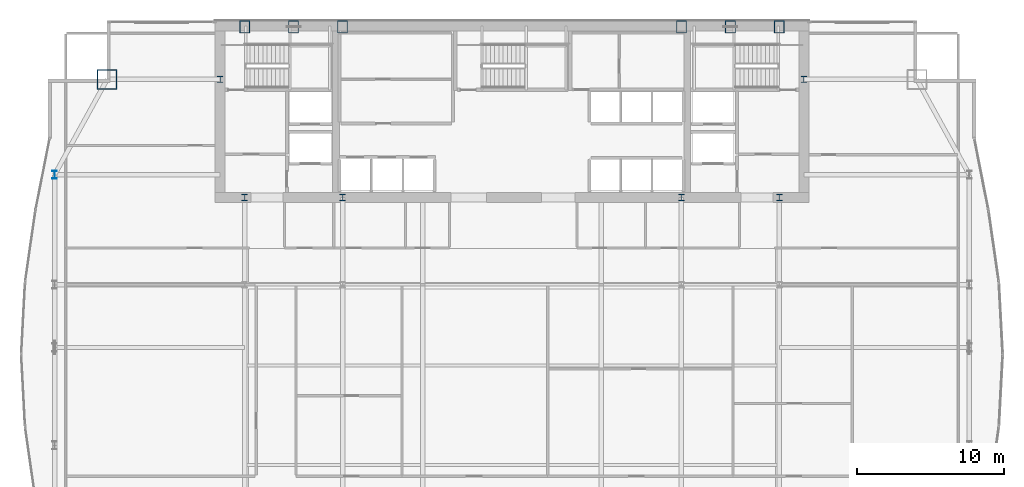
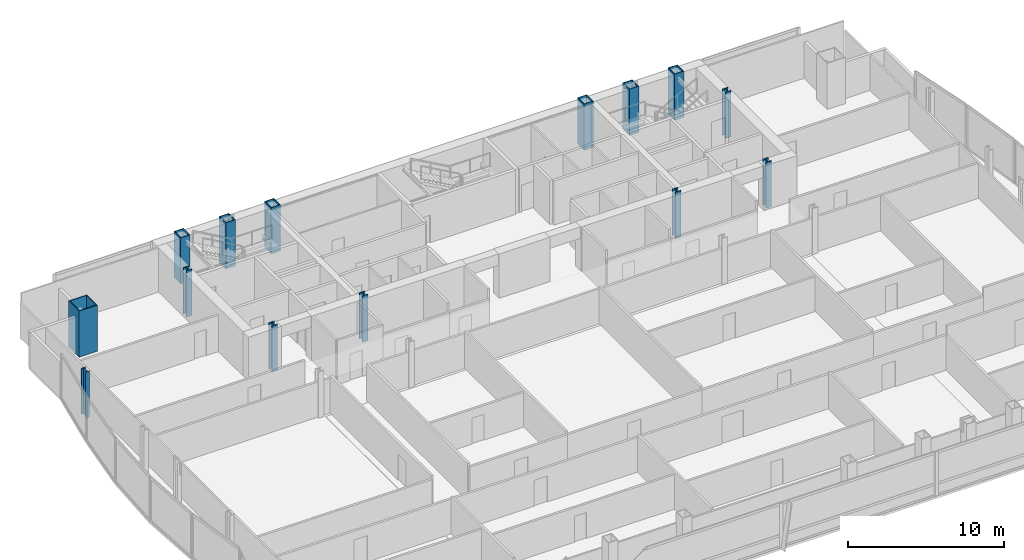
# One storey, part 3 of 29: 14 columns.
"""IFC4 building model written with IfcOpenShell, lengths in metres."""

from ifc_helpers import new_model, si_unit, direction, frame, origin, origin_2d, place, context, subcontext, project, spatial, hollow_rectangle, i_section, extrude, material, material_profile, profile_set, type_object, element, save


model = new_model("IFC4")

# Units and contexts
model_context = context("Model", 3, precision=1e-05, world=origin(), true_north=direction((0.0, 1.0)))
body_context = subcontext(model_context, "Body", "Model", "MODEL_VIEW")
ifc_project = project(units=[si_unit("LENGTHUNIT", "METRE"), si_unit("AREAUNIT", "SQUARE_METRE"), si_unit("VOLUMEUNIT", "CUBIC_METRE"), si_unit("PLANEANGLEUNIT", "RADIAN"), si_unit("MASSUNIT", "GRAM", prefix="KILO")], contexts=[model_context])

# Site, building, storey
site_placement = place(None, origin())
site = spatial("IfcSite", under=ifc_project, at=site_placement, CompositionType="ELEMENT")
building_placement = place(site_placement, origin())
building = spatial("IfcBuilding", under=site, at=building_placement, Name="Khoronbel Lancet Exchange", CompositionType="ELEMENT")
storey_placement = place(building_placement, frame((0.0, 0.0, 154.199951171875)))
storey = spatial("IfcBuildingStorey", under=building, at=storey_placement, Name="L38", CompositionType="ELEMENT", Elevation=154.199951171875)

# Columns
ifc_material_1 = material(Name="Steel S460", Category="steel")
ifc_material_profile_1 = material_profile(ifc_material_1, hollow_rectangle(XDim=0.699951171875, YDim=0.85009765625, WallThickness=0.050048828125, at=origin_2d()), Name="BOX 850x700x50")
ifc_profile_set_1 = profile_set([ifc_material_profile_1], Name="Steel S460")
column_type_1 = type_object("IfcColumnType", Name="COL-EC2", PredefinedType="COLUMN", material=ifc_profile_set_1)
for number, where, z_axis, x_axis, name in (
    (1, (18.22509765625, 53.280029296875, 0.0), (0.0, 0.0, 1.0), (1.0, 0.0, 0.0), "Structural column NC-W1 L38"),
    (2, (21.5625, 53.280029296875, 0.0), (0.0, 0.0, 1.0), (1.0, 0.0, 0.0), "Structural column NC-WM L38"),
    (3, (24.89990234375, 53.280029296875, 0.0), (0.0, 0.0, 1.0), (1.0, 0.0, 0.0), "Structural column NC-W2 L38"),
    (4, (48.0, 53.280029296875, 0.0), (0.0, 0.0, 1.0), (1.0, 0.0, 0.0), "Structural column NC-E1 L38"),
    (5, (51.33740234375, 53.280029296875, 0.0), (0.0, 0.0, 1.0), (1.0, 0.0, 0.0), "Structural column NC-EM L38"),
    (6, (54.675048828125, 53.280029296875, 0.0), (0.0, 0.0, 1.0), (1.0, 0.0, 0.0), "Structural column NC-E2 L38"),
):
    element("IfcColumn", number, at=place(storey_placement, frame(where, z_axis=z_axis, x_axis=x_axis)), inside=storey, type_object=column_type_1, Name=name, PredefinedType="COLUMN", context=body_context, shape_type="SweptSolid", body=[
        extrude(hollow_rectangle(XDim=0.699951171875, YDim=0.85009765625, WallThickness=0.050048828125, at=origin_2d()), origin(), (0.0, 0.0, 1.0), 3.60009765625),
    ])
ifc_material_profile_2 = material_profile(ifc_material_1, i_section(OverallWidth=0.416015625, OverallDepth=0.446044921875, WebThickness=0.0390625, FlangeThickness=0.062744140625, at=origin_2d()), Name="HD 400x509")
ifc_profile_set_2 = profile_set([ifc_material_profile_2], Name="Steel S460")
column_type_2 = type_object("IfcColumnType", Name="COL-IC2", PredefinedType="COLUMN", material=ifc_profile_set_2)
for number, where, z_axis, x_axis, name in (
    (7, (16.550048828125, 49.699951171875, 0.0), (0.0, 0.0, 1.0), (1.0, 0.0, 0.0), "Core-flank plumb transfer column CFW L38"),
    (8, (56.35009765625, 49.699951171875, 0.0), (0.0, 0.0, 1.0), (1.0, 0.0, 0.0), "Core-flank plumb transfer column CFE L38"),
    (9, (18.22509765625, 41.64990234375, 0.0), (0.0, 0.0, 1.0), (1.0, 0.0, 0.0), "Core-embedded steel column CTC1 L38"),
    (10, (24.89990234375, 41.64990234375, 0.0), (0.0, 0.0, 1.0), (1.0, 0.0, 0.0), "Core-embedded steel column CTC2 L38"),
    (11, (48.0, 41.64990234375, 0.0), (0.0, 0.0, 1.0), (1.0, 0.0, 0.0), "Core-embedded steel column CTC3 L38"),
    (12, (54.675048828125, 41.64990234375, 0.0), (0.0, 0.0, 1.0), (1.0, 0.0, 0.0), "Core-embedded steel column CTC4 L38"),
):
    element("IfcColumn", number, at=place(storey_placement, frame(where, z_axis=z_axis, x_axis=x_axis)), inside=storey, type_object=column_type_2, Name=name, PredefinedType="COLUMN", context=body_context, shape_type="SweptSolid", body=[
        extrude(i_section(OverallWidth=0.416015625, OverallDepth=0.446044921875, WebThickness=0.0390625, FlangeThickness=0.062744140625, at=origin_2d()), origin(), (0.0, 0.0, 1.0), 3.60009765625),
    ])
ifc_material_2 = material(Name="Steel S355", Category="steel")
ifc_material_profile_3 = material_profile(ifc_material_2, i_section(OverallWidth=0.300048828125, OverallDepth=0.550048828125, WebThickness=0.014892578125, FlangeThickness=0.029052734375, at=origin_2d()), Name="HEB 550")
ifc_profile_set_3 = profile_set([ifc_material_profile_3], Name="Steel S355")
column_type_3 = type_object("IfcColumnType", Name="COL-LC1", PredefinedType="COLUMN", material=ifc_profile_set_3)
column_1_placement = place(storey_placement, frame((5.27001953125, 43.199951171875, 0.0), z_axis=(0.0, 0.0, 1.0), x_axis=(1.0, 0.0, 0.0)))
element("IfcColumn", 13, at=column_1_placement, inside=storey, type_object=column_type_3, Name="Structural column WC-4 L38", PredefinedType="COLUMN", context=body_context, shape_type="SweptSolid", body=[
    extrude(i_section(OverallWidth=0.300048828125, OverallDepth=0.550048828125, WebThickness=0.014892578125, FlangeThickness=0.029052734375, at=origin_2d()), origin(), (0.0, 0.0, 1.0), 3.60009765625),
])
ifc_material_profile_4 = material_profile(ifc_material_1, hollow_rectangle(XDim=1.35009765625, YDim=1.35009765625, WallThickness=0.06494140625, at=origin_2d()), Name="BOX 1350x1350x65")
ifc_profile_set_4 = profile_set([ifc_material_profile_4], Name="Steel S460")
column_type_4 = type_object("IfcColumnType", Name="COL-MC4", PredefinedType="COLUMN", material=ifc_profile_set_4)
column_2_placement = place(storey_placement, frame((8.85009765625, 49.699951171875, 0.0), z_axis=(0.0, 0.0, 1.0), x_axis=(1.0, 0.0, 0.0)))
element("IfcColumn", 14, at=column_2_placement, inside=storey, type_object=column_type_4, Name="Structural column MC-NW L38", PredefinedType="COLUMN", context=body_context, shape_type="SweptSolid", body=[
    extrude(hollow_rectangle(XDim=1.35009765625, YDim=1.35009765625, WallThickness=0.06494140625, at=origin_2d()), origin(), (0.0, 0.0, 1.0), 3.60009765625),
])

save(model, "model.ifc")
